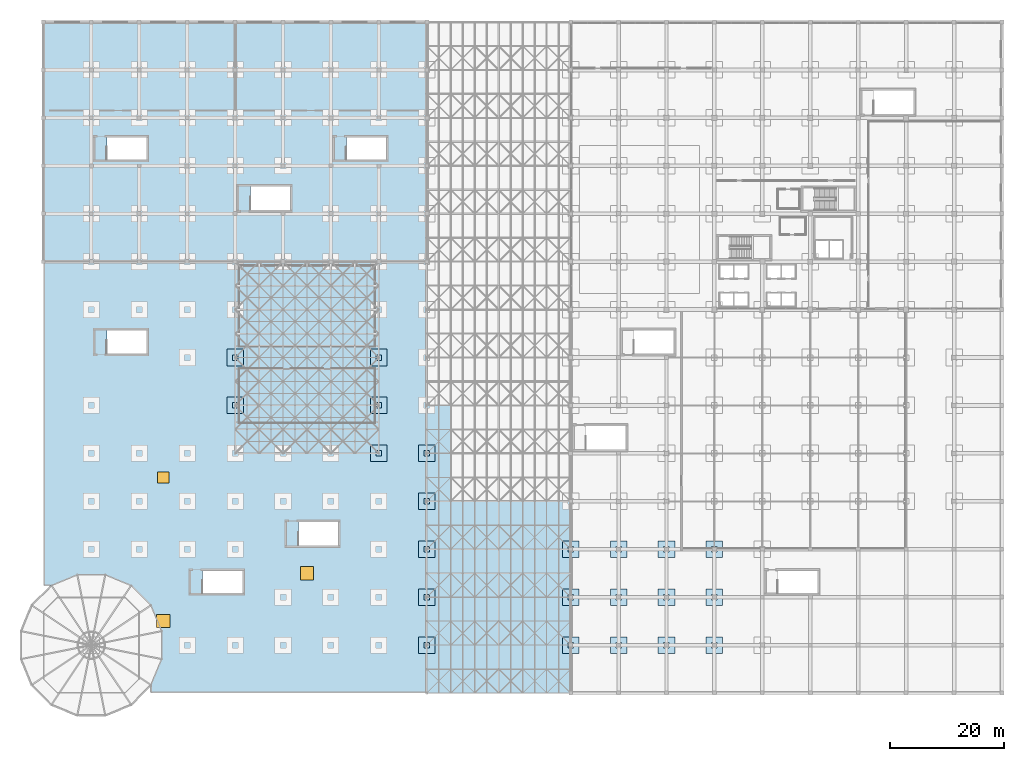
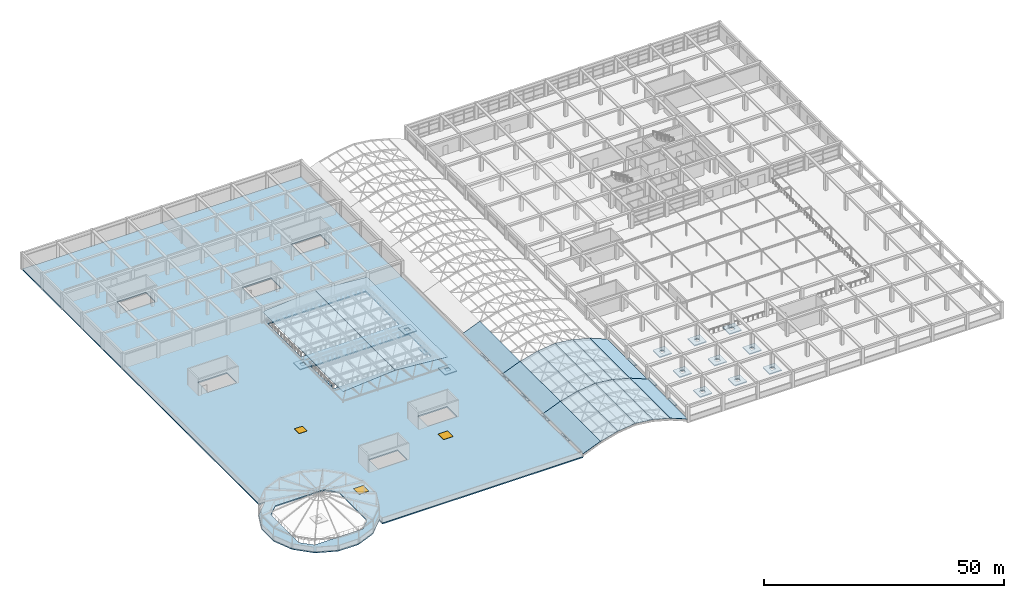
# One storey, part 66 of 85: 38 slabs, 3 windows, 3 openings, 4 elements without a shape of their own.
"""IFC4 building model written with IfcOpenShell, lengths in metres."""

from ifc_helpers import new_model, si_unit, direction, frame, origin, origin_2d, place, context, subcontext, project, spatial, polyline, rectangle, outline, extrude, material, layer, layer_set, type_object, element, fill, aggregate, save


model = new_model("IFC4")

# Units and contexts
model_context = context("Model", 3, precision=1e-05, world=origin(), true_north=direction((0.0, 1.0)))
body_context = subcontext(model_context, "Body", "Model", "MODEL_VIEW")
ifc_project = project(units=[si_unit("LENGTHUNIT", "METRE"), si_unit("AREAUNIT", "SQUARE_METRE"), si_unit("VOLUMEUNIT", "CUBIC_METRE"), si_unit("PLANEANGLEUNIT", "RADIAN"), si_unit("MASSUNIT", "GRAM", prefix="KILO")], contexts=[model_context])

# Site, building, storey
site_placement = place(None, origin())
site = spatial("IfcSite", under=ifc_project, at=site_placement, CompositionType="ELEMENT")
building_placement = place(site_placement, origin())
building = spatial("IfcBuilding", under=site, at=building_placement, Name="Almacenes y Pasaje Nevantli", CompositionType="ELEMENT")
storey_placement = place(building_placement, frame((0.0, 0.0, 22.199951171875)))
storey = spatial("IfcBuildingStorey", under=building, at=storey_placement, Name="L05", CompositionType="ELEMENT", Elevation=22.199951171875)

# Slabs
ifc_material_1 = material(Name="Concrete C35/45", Category="concrete")
ifc_layer_1 = layer(ifc_material_1, 0.25)
ifc_layer_set_1 = layer_set([ifc_layer_1], Name="Concrete C35/45")
slab_type_1 = type_object("IfcSlabType", Name="SLB-DP-250", PredefinedType="USERDEFINED", material=ifc_layer_set_1)
slab_1_placement = place(storey_placement, frame((0.0, 0.0, -0.550048828125)))
element("IfcSlab", 1, at=slab_1_placement, inside=storey, type_object=slab_type_1, Name="L05 Punching-Shear Drop Panel DP-02 #957", ObjectType="DROP PANEL", PredefinedType="USERDEFINED", context=body_context, shape_type="SweptSolid", body=[
    extrude(outline(polyline([(32.14990234375, 48.949951171875), (35.050048828125, 48.949951171875), (35.050048828125, 51.85009765625), (32.14990234375, 51.85009765625), (32.14990234375, 48.949951171875)]), holes=[polyline([(33.1201171875, 49.919921875), (34.080078125, 49.919921875), (34.080078125, 50.8798828125), (33.1201171875, 50.8798828125), (33.1201171875, 49.919921875)])]), origin(), (0.0, 0.0, 1.0), 0.25),
])
slab_2_placement = place(storey_placement, frame((0.0, 0.0, -0.550048828125)))
element("IfcSlab", 2, at=slab_2_placement, inside=storey, type_object=slab_type_1, Name="L05 Punching-Shear Drop Panel DP-02 #958", ObjectType="DROP PANEL", PredefinedType="USERDEFINED", context=body_context, shape_type="SweptSolid", body=[
    extrude(outline(polyline([(32.14990234375, 57.35009765625), (35.050048828125, 57.35009765625), (35.050048828125, 60.25), (32.14990234375, 60.25), (32.14990234375, 57.35009765625)]), holes=[polyline([(33.1201171875, 58.320068359375), (34.080078125, 58.320068359375), (34.080078125, 59.280029296875), (33.1201171875, 59.280029296875), (33.1201171875, 58.320068359375)])]), origin(), (0.0, 0.0, 1.0), 0.25),
])
slab_3_placement = place(storey_placement, frame((0.0, 0.0, -0.550048828125)))
element("IfcSlab", 3, at=slab_3_placement, inside=storey, type_object=slab_type_1, Name="L05 Punching-Shear Drop Panel DP-02 #984", ObjectType="DROP PANEL", PredefinedType="USERDEFINED", context=body_context, shape_type="SweptSolid", body=[
    extrude(outline(polyline([(57.35009765625, 40.550048828125), (60.25, 40.550048828125), (60.25, 43.449951171875), (57.35009765625, 43.449951171875), (57.35009765625, 40.550048828125)]), holes=[polyline([(58.320068359375, 41.52001953125), (59.280029296875, 41.52001953125), (59.280029296875, 42.47998046875), (58.320068359375, 42.47998046875), (58.320068359375, 41.52001953125)])]), origin(), (0.0, 0.0, 1.0), 0.25),
])
slab_4_placement = place(storey_placement, frame((0.0, 0.0, -0.550048828125)))
element("IfcSlab", 4, at=slab_4_placement, inside=storey, type_object=slab_type_1, Name="L05 Punching-Shear Drop Panel DP-02 #985", ObjectType="DROP PANEL", PredefinedType="USERDEFINED", context=body_context, shape_type="SweptSolid", body=[
    extrude(outline(polyline([(57.35009765625, 48.949951171875), (60.25, 48.949951171875), (60.25, 51.85009765625), (57.35009765625, 51.85009765625), (57.35009765625, 48.949951171875)]), holes=[polyline([(58.320068359375, 49.919921875), (59.280029296875, 49.919921875), (59.280029296875, 50.8798828125), (58.320068359375, 50.8798828125), (58.320068359375, 49.919921875)])]), origin(), (0.0, 0.0, 1.0), 0.25),
])
slab_5_placement = place(storey_placement, frame((0.0, 0.0, -0.550048828125)))
element("IfcSlab", 5, at=slab_5_placement, inside=storey, type_object=slab_type_1, Name="L05 Punching-Shear Drop Panel DP-02 #986", ObjectType="DROP PANEL", PredefinedType="USERDEFINED", context=body_context, shape_type="SweptSolid", body=[
    extrude(outline(polyline([(57.35009765625, 57.35009765625), (60.25, 57.35009765625), (60.25, 60.25), (57.35009765625, 60.25), (57.35009765625, 57.35009765625)]), holes=[polyline([(58.320068359375, 58.320068359375), (59.280029296875, 58.320068359375), (59.280029296875, 59.280029296875), (58.320068359375, 59.280029296875), (58.320068359375, 58.320068359375)])]), origin(), (0.0, 0.0, 1.0), 0.25),
])
slab_6_placement = place(storey_placement, frame((0.0, 0.0, -0.550048828125)))
element("IfcSlab", 6, at=slab_6_placement, inside=storey, type_object=slab_type_1, Name="L05 Punching-Shear Drop Panel DP-02 #992", ObjectType="DROP PANEL", PredefinedType="USERDEFINED", context=body_context, shape_type="SweptSolid", body=[
    extrude(outline(polyline([(65.75, 6.949951171875), (68.64990234375, 6.949951171875), (68.64990234375, 9.85009765625), (65.75, 9.85009765625), (65.75, 6.949951171875)]), holes=[polyline([(66.719970703125, 7.919921875), (67.679931640625, 7.919921875), (67.679931640625, 8.8798828125), (66.719970703125, 8.8798828125), (66.719970703125, 7.919921875)])]), origin(), (0.0, 0.0, 1.0), 0.25),
])
slab_7_placement = place(storey_placement, frame((0.0, 0.0, -0.550048828125)))
element("IfcSlab", 7, at=slab_7_placement, inside=storey, type_object=slab_type_1, Name="L05 Punching-Shear Drop Panel DP-02 #993", ObjectType="DROP PANEL", PredefinedType="USERDEFINED", context=body_context, shape_type="SweptSolid", body=[
    extrude(outline(polyline([(65.75, 15.35009765625), (68.64990234375, 15.35009765625), (68.64990234375, 18.25), (65.75, 18.25), (65.75, 15.35009765625)]), holes=[polyline([(66.719970703125, 16.320068359375), (67.679931640625, 16.320068359375), (67.679931640625, 17.280029296875), (66.719970703125, 17.280029296875), (66.719970703125, 16.320068359375)])]), origin(), (0.0, 0.0, 1.0), 0.25),
])
slab_8_placement = place(storey_placement, frame((0.0, 0.0, -0.550048828125)))
element("IfcSlab", 8, at=slab_8_placement, inside=storey, type_object=slab_type_1, Name="L05 Punching-Shear Drop Panel DP-02 #994", ObjectType="DROP PANEL", PredefinedType="USERDEFINED", context=body_context, shape_type="SweptSolid", body=[
    extrude(outline(polyline([(65.75, 23.75), (68.64990234375, 23.75), (68.64990234375, 26.64990234375), (65.75, 26.64990234375), (65.75, 23.75)]), holes=[polyline([(66.719970703125, 24.719970703125), (67.679931640625, 24.719970703125), (67.679931640625, 25.679931640625), (66.719970703125, 25.679931640625), (66.719970703125, 24.719970703125)])]), origin(), (0.0, 0.0, 1.0), 0.25),
])
slab_9_placement = place(storey_placement, frame((0.0, 0.0, -0.550048828125)))
element("IfcSlab", 9, at=slab_9_placement, inside=storey, type_object=slab_type_1, Name="L05 Punching-Shear Drop Panel DP-02 #995", ObjectType="DROP PANEL", PredefinedType="USERDEFINED", context=body_context, shape_type="SweptSolid", body=[
    extrude(outline(polyline([(65.75, 32.14990234375), (68.64990234375, 32.14990234375), (68.64990234375, 35.050048828125), (65.75, 35.050048828125), (65.75, 32.14990234375)]), holes=[polyline([(66.719970703125, 33.1201171875), (67.679931640625, 33.1201171875), (67.679931640625, 34.080078125), (66.719970703125, 34.080078125), (66.719970703125, 33.1201171875)])]), origin(), (0.0, 0.0, 1.0), 0.25),
])
slab_10_placement = place(storey_placement, frame((0.0, 0.0, -0.550048828125)))
element("IfcSlab", 10, at=slab_10_placement, inside=storey, type_object=slab_type_1, Name="L05 Punching-Shear Drop Panel DP-02 #996", ObjectType="DROP PANEL", PredefinedType="USERDEFINED", context=body_context, shape_type="SweptSolid", body=[
    extrude(outline(polyline([(65.75, 40.550048828125), (68.64990234375, 40.550048828125), (68.64990234375, 43.449951171875), (65.75, 43.449951171875), (65.75, 40.550048828125)]), holes=[polyline([(66.719970703125, 41.52001953125), (67.679931640625, 41.52001953125), (67.679931640625, 42.47998046875), (66.719970703125, 42.47998046875), (66.719970703125, 41.52001953125)])]), origin(), (0.0, 0.0, 1.0), 0.25),
])
slab_11_placement = place(storey_placement, frame((0.0, 0.0, -0.550048828125)))
element("IfcSlab", 11, at=slab_11_placement, inside=storey, type_object=slab_type_1, Name="L05 Punching-Shear Drop Panel DP-02 #1005", ObjectType="DROP PANEL", PredefinedType="USERDEFINED", context=body_context, shape_type="SweptSolid", body=[
    extrude(outline(polyline([(90.949951171875, 6.949951171875), (93.85009765625, 6.949951171875), (93.85009765625, 9.85009765625), (90.949951171875, 9.85009765625), (90.949951171875, 6.949951171875)]), holes=[polyline([(91.919921875, 7.919921875), (92.8798828125, 7.919921875), (92.8798828125, 8.8798828125), (91.919921875, 8.8798828125), (91.919921875, 7.919921875)])]), origin(), (0.0, 0.0, 1.0), 0.25),
])
slab_12_placement = place(storey_placement, frame((0.0, 0.0, -0.550048828125)))
element("IfcSlab", 12, at=slab_12_placement, inside=storey, type_object=slab_type_1, Name="L05 Punching-Shear Drop Panel DP-02 #1006", ObjectType="DROP PANEL", PredefinedType="USERDEFINED", context=body_context, shape_type="SweptSolid", body=[
    extrude(outline(polyline([(90.949951171875, 15.35009765625), (93.85009765625, 15.35009765625), (93.85009765625, 18.25), (90.949951171875, 18.25), (90.949951171875, 15.35009765625)]), holes=[polyline([(91.919921875, 16.320068359375), (92.8798828125, 16.320068359375), (92.8798828125, 17.280029296875), (91.919921875, 17.280029296875), (91.919921875, 16.320068359375)])]), origin(), (0.0, 0.0, 1.0), 0.25),
])
slab_13_placement = place(storey_placement, frame((0.0, 0.0, -0.550048828125)))
element("IfcSlab", 13, at=slab_13_placement, inside=storey, type_object=slab_type_1, Name="L05 Punching-Shear Drop Panel DP-02 #1007", ObjectType="DROP PANEL", PredefinedType="USERDEFINED", context=body_context, shape_type="SweptSolid", body=[
    extrude(outline(polyline([(90.949951171875, 23.75), (93.85009765625, 23.75), (93.85009765625, 26.64990234375), (90.949951171875, 26.64990234375), (90.949951171875, 23.75)]), holes=[polyline([(91.919921875, 24.719970703125), (92.8798828125, 24.719970703125), (92.8798828125, 25.679931640625), (91.919921875, 25.679931640625), (91.919921875, 24.719970703125)])]), origin(), (0.0, 0.0, 1.0), 0.25),
])
slab_14_placement = place(storey_placement, frame((0.0, 0.0, -0.550048828125)))
element("IfcSlab", 14, at=slab_14_placement, inside=storey, type_object=slab_type_1, Name="L05 Punching-Shear Drop Panel DP-02 #1017", ObjectType="DROP PANEL", PredefinedType="USERDEFINED", context=body_context, shape_type="SweptSolid", body=[
    extrude(outline(polyline([(99.35009765625, 6.949951171875), (102.25, 6.949951171875), (102.25, 9.85009765625), (99.35009765625, 9.85009765625), (99.35009765625, 6.949951171875)]), holes=[polyline([(100.320068359375, 7.919921875), (101.280029296875, 7.919921875), (101.280029296875, 8.8798828125), (100.320068359375, 8.8798828125), (100.320068359375, 7.919921875)])]), origin(), (0.0, 0.0, 1.0), 0.25),
])
slab_15_placement = place(storey_placement, frame((0.0, 0.0, -0.550048828125)))
element("IfcSlab", 15, at=slab_15_placement, inside=storey, type_object=slab_type_1, Name="L05 Punching-Shear Drop Panel DP-02 #1018", ObjectType="DROP PANEL", PredefinedType="USERDEFINED", context=body_context, shape_type="SweptSolid", body=[
    extrude(outline(polyline([(99.35009765625, 15.35009765625), (102.25, 15.35009765625), (102.25, 18.25), (99.35009765625, 18.25), (99.35009765625, 15.35009765625)]), holes=[polyline([(100.320068359375, 16.320068359375), (101.280029296875, 16.320068359375), (101.280029296875, 17.280029296875), (100.320068359375, 17.280029296875), (100.320068359375, 16.320068359375)])]), origin(), (0.0, 0.0, 1.0), 0.25),
])
slab_16_placement = place(storey_placement, frame((0.0, 0.0, -0.550048828125)))
element("IfcSlab", 16, at=slab_16_placement, inside=storey, type_object=slab_type_1, Name="L05 Punching-Shear Drop Panel DP-02 #1019", ObjectType="DROP PANEL", PredefinedType="USERDEFINED", context=body_context, shape_type="SweptSolid", body=[
    extrude(outline(polyline([(99.35009765625, 23.75), (102.25, 23.75), (102.25, 26.64990234375), (99.35009765625, 26.64990234375), (99.35009765625, 23.75)]), holes=[polyline([(100.320068359375, 24.719970703125), (101.280029296875, 24.719970703125), (101.280029296875, 25.679931640625), (100.320068359375, 25.679931640625), (100.320068359375, 24.719970703125)])]), origin(), (0.0, 0.0, 1.0), 0.25),
])
slab_17_placement = place(storey_placement, frame((0.0, 0.0, -0.550048828125)))
element("IfcSlab", 17, at=slab_17_placement, inside=storey, type_object=slab_type_1, Name="L05 Punching-Shear Drop Panel DP-02 #1028", ObjectType="DROP PANEL", PredefinedType="USERDEFINED", context=body_context, shape_type="SweptSolid", body=[
    extrude(outline(polyline([(107.75, 6.949951171875), (110.64990234375, 6.949951171875), (110.64990234375, 9.85009765625), (107.75, 9.85009765625), (107.75, 6.949951171875)]), holes=[polyline([(108.719970703125, 7.919921875), (109.679931640625, 7.919921875), (109.679931640625, 8.8798828125), (108.719970703125, 8.8798828125), (108.719970703125, 7.919921875)])]), origin(), (0.0, 0.0, 1.0), 0.25),
])
slab_18_placement = place(storey_placement, frame((0.0, 0.0, -0.550048828125)))
element("IfcSlab", 18, at=slab_18_placement, inside=storey, type_object=slab_type_1, Name="L05 Punching-Shear Drop Panel DP-02 #1029", ObjectType="DROP PANEL", PredefinedType="USERDEFINED", context=body_context, shape_type="SweptSolid", body=[
    extrude(outline(polyline([(107.75, 15.35009765625), (110.64990234375, 15.35009765625), (110.64990234375, 18.25), (107.75, 18.25), (107.75, 15.35009765625)]), holes=[polyline([(108.719970703125, 16.320068359375), (109.679931640625, 16.320068359375), (109.679931640625, 17.280029296875), (108.719970703125, 17.280029296875), (108.719970703125, 16.320068359375)])]), origin(), (0.0, 0.0, 1.0), 0.25),
])
slab_19_placement = place(storey_placement, frame((0.0, 0.0, -0.550048828125)))
element("IfcSlab", 19, at=slab_19_placement, inside=storey, type_object=slab_type_1, Name="L05 Punching-Shear Drop Panel DP-02 #1030", ObjectType="DROP PANEL", PredefinedType="USERDEFINED", context=body_context, shape_type="SweptSolid", body=[
    extrude(outline(polyline([(107.75, 23.75), (110.64990234375, 23.75), (110.64990234375, 26.64990234375), (107.75, 26.64990234375), (107.75, 23.75)]), holes=[polyline([(108.719970703125, 24.719970703125), (109.679931640625, 24.719970703125), (109.679931640625, 25.679931640625), (108.719970703125, 25.679931640625), (108.719970703125, 24.719970703125)])]), origin(), (0.0, 0.0, 1.0), 0.25),
])
slab_20_placement = place(storey_placement, frame((0.0, 0.0, -0.550048828125)))
element("IfcSlab", 20, at=slab_20_placement, inside=storey, type_object=slab_type_1, Name="L05 Punching-Shear Drop Panel DP-02 #1040", ObjectType="DROP PANEL", PredefinedType="USERDEFINED", context=body_context, shape_type="SweptSolid", body=[
    extrude(outline(polyline([(116.14990234375, 6.949951171875), (119.050048828125, 6.949951171875), (119.050048828125, 9.85009765625), (116.14990234375, 9.85009765625), (116.14990234375, 6.949951171875)]), holes=[polyline([(117.1201171875, 7.919921875), (118.080078125, 7.919921875), (118.080078125, 8.8798828125), (117.1201171875, 8.8798828125), (117.1201171875, 7.919921875)])]), origin(), (0.0, 0.0, 1.0), 0.25),
])
slab_21_placement = place(storey_placement, frame((0.0, 0.0, -0.550048828125)))
element("IfcSlab", 21, at=slab_21_placement, inside=storey, type_object=slab_type_1, Name="L05 Punching-Shear Drop Panel DP-02 #1041", ObjectType="DROP PANEL", PredefinedType="USERDEFINED", context=body_context, shape_type="SweptSolid", body=[
    extrude(outline(polyline([(116.14990234375, 15.35009765625), (119.050048828125, 15.35009765625), (119.050048828125, 18.25), (116.14990234375, 18.25), (116.14990234375, 15.35009765625)]), holes=[polyline([(117.1201171875, 16.320068359375), (118.080078125, 16.320068359375), (118.080078125, 17.280029296875), (117.1201171875, 17.280029296875), (117.1201171875, 16.320068359375)])]), origin(), (0.0, 0.0, 1.0), 0.25),
])
slab_22_placement = place(storey_placement, frame((0.0, 0.0, -0.550048828125)))
element("IfcSlab", 22, at=slab_22_placement, inside=storey, type_object=slab_type_1, Name="L05 Punching-Shear Drop Panel DP-02 #1042", ObjectType="DROP PANEL", PredefinedType="USERDEFINED", context=body_context, shape_type="SweptSolid", body=[
    extrude(outline(polyline([(116.14990234375, 23.75), (119.050048828125, 23.75), (119.050048828125, 26.64990234375), (116.14990234375, 26.64990234375), (116.14990234375, 23.75)]), holes=[polyline([(117.1201171875, 24.719970703125), (118.080078125, 24.719970703125), (118.080078125, 25.679931640625), (117.1201171875, 25.679931640625), (117.1201171875, 24.719970703125)])]), origin(), (0.0, 0.0, 1.0), 0.25),
])

# Slab, openings, windows
ifc_material_2 = material(Name="Concrete C35/45", Category="concrete")
ifc_layer_2 = layer(ifc_material_2, 0.300048828125)
ifc_layer_set_2 = layer_set([ifc_layer_2], Name="Concrete C35/45")
slab_type_2 = type_object("IfcSlabType", Name="SLB-FLR-300", PredefinedType="FLOOR", material=ifc_layer_set_2)
slab_23_placement = place(storey_placement, frame((0.0, 0.0, -0.300048828125)))
slab_23 = element("IfcSlab", 23, at=slab_23_placement, inside=storey, type_object=slab_type_2, Name="L05 West Plant, Atrium Gallery and Rotunda Ring Slab", PredefinedType="FLOOR", context=body_context, shape_type="SweptSolid", body=[
    extrude(outline(polyline([(18.87646484375, 0.0), (67.199951171875, 0.0), (67.199951171875, 117.60009765625), (0.0, 117.60009765625), (0.0, 18.87646484375), (1.39990234375, 18.87646484375), (-2.076416015625, 15.400146484375), (-3.9580078125, 10.858154296875), (-3.9580078125, 5.94189453125), (-2.076416015625, 1.39990234375), (1.39990234375, -2.076416015625), (5.94189453125, -3.9580078125), (10.858154296875, -3.9580078125), (15.400146484375, -2.076416015625), (18.87646484375, 1.39990234375), (18.87646484375, 0.0)]), holes=[polyline([(2.60009765625, 0.199951171875), (14.199951171875, 0.199951171875), (16.60009765625, 2.60009765625), (16.60009765625, 14.199951171875), (14.199951171875, 16.60009765625), (2.60009765625, 16.60009765625), (0.199951171875, 14.199951171875), (0.199951171875, 2.60009765625), (2.60009765625, 0.199951171875)]), polyline([(11.114990234375, 93.449951171875), (18.10009765625, 93.449951171875), (18.10009765625, 97.39990234375), (11.114990234375, 97.39990234375), (11.114990234375, 93.449951171875)]), polyline([(27.9150390625, 17.5), (34.89990234375, 17.5), (34.89990234375, 21.449951171875), (27.9150390625, 21.449951171875), (27.9150390625, 17.5)]), polyline([(53.114990234375, 93.449951171875), (60.10009765625, 93.449951171875), (60.10009765625, 97.39990234375), (53.114990234375, 97.39990234375), (53.114990234375, 93.449951171875)]), polyline([(11.114990234375, 59.449951171875), (18.10009765625, 59.449951171875), (18.10009765625, 63.60009765625), (11.114990234375, 63.60009765625), (11.114990234375, 59.449951171875)]), polyline([(44.715087890625, 25.85009765625), (51.699951171875, 25.85009765625), (51.699951171875, 30.0), (44.715087890625, 30.0), (44.715087890625, 25.85009765625)]), polyline([(36.31494140625, 84.64990234375), (43.300048828125, 84.64990234375), (43.300048828125, 88.800048828125), (36.31494140625, 88.800048828125), (36.31494140625, 84.64990234375)]), polyline([(34.39990234375, 47.449951171875), (58.0, 47.449951171875), (58.0, 56.800048828125), (34.39990234375, 56.800048828125), (34.39990234375, 47.449951171875)]), polyline([(34.39990234375, 60.800048828125), (58.0, 60.800048828125), (58.0, 74.800048828125), (34.39990234375, 74.800048828125), (34.39990234375, 60.800048828125)])]), origin(), (0.0, 0.0, 1.0), 0.300048828125),
])
opening_1_placement = place(slab_23_placement, frame((21.0, 12.60009765625, -0.010009765625)))
opening_1 = element("IfcOpeningElement", 24, at=opening_1_placement, cuts=slab_23, Name="Opening SK-001", PredefinedType="OPENING", context=body_context, shape_type="SweptSolid", body=[
    extrude(rectangle(XDim=2.300048828125, YDim=2.300048828125, at=origin_2d()), origin(), (0.0, 0.0, 1.0), 0.3701171875),
])
opening_2_placement = place(slab_23_placement, frame((21.0, 37.800048828125, -0.010009765625)))
opening_2 = element("IfcOpeningElement", 25, at=opening_2_placement, cuts=slab_23, Name="Opening SK-002", PredefinedType="OPENING", context=body_context, shape_type="SweptSolid", body=[
    extrude(rectangle(XDim=1.949951171875, YDim=1.949951171875, at=origin_2d()), origin(), (0.0, 0.0, 1.0), 0.3701171875),
])
opening_3_placement = place(slab_23_placement, frame((46.199951171875, 21.0, -0.010009765625)))
opening_3 = element("IfcOpeningElement", 26, at=opening_3_placement, cuts=slab_23, Name="Opening SK-003", PredefinedType="OPENING", context=body_context, shape_type="SweptSolid", body=[
    extrude(rectangle(XDim=2.300048828125, YDim=2.300048828125, at=origin_2d()), origin(), (0.0, 0.0, 1.0), 0.3701171875),
])
ifc_material_3 = material(Name="Thermally Broken Aluminium and Low-E Double Glazing", Category="aluminium")
window_type_1 = type_object("IfcWindowType", Name="WN-SKY-1950", PartitioningType="SINGLE_PANEL", PredefinedType="SKYLIGHT", material=ifc_material_3)
window_1_placement = place(slab_23_placement, frame((21.0, 37.800048828125, 0.300048828125)))
window_1 = element("IfcWindow", 27, at=window_1_placement, inside=storey, type_object=window_type_1, Name="Podium Roof Daylighting Curb Skylight SK-002", OverallHeight=1.949951171875, OverallWidth=1.949951171875, PartitioningType="SINGLE_PANEL", PredefinedType="SKYLIGHT", context=body_context, shape_type="SweptSolid", body=[
    extrude(rectangle(XDim=1.949951171875, YDim=1.949951171875, at=origin_2d()), origin(), (0.0, 0.0, 1.0), 0.050048828125),
])
fill(opening_2, window_1)
ifc_material_4 = material(Name="Thermally Broken Aluminium and Low-E Double Glazing", Category="aluminium")
window_type_2 = type_object("IfcWindowType", Name="WN-SKY-2300", PartitioningType="SINGLE_PANEL", PredefinedType="SKYLIGHT", material=ifc_material_4)
window_2_placement = place(slab_23_placement, frame((21.0, 12.60009765625, 0.300048828125)))
window_2 = element("IfcWindow", 28, at=window_2_placement, inside=storey, type_object=window_type_2, Name="Podium Roof Daylighting Curb Skylight SK-001", OverallHeight=2.300048828125, OverallWidth=2.300048828125, PartitioningType="SINGLE_PANEL", PredefinedType="SKYLIGHT", context=body_context, shape_type="SweptSolid", body=[
    extrude(rectangle(XDim=2.300048828125, YDim=2.300048828125, at=origin_2d()), origin(), (0.0, 0.0, 1.0), 0.050048828125),
])
fill(opening_1, window_2)
window_3_placement = place(slab_23_placement, frame((46.199951171875, 21.0, 0.300048828125)))
window_3 = element("IfcWindow", 29, at=window_3_placement, inside=storey, type_object=window_type_2, Name="Podium Roof Daylighting Curb Skylight SK-003", OverallHeight=2.300048828125, OverallWidth=2.300048828125, PartitioningType="SINGLE_PANEL", PredefinedType="SKYLIGHT", context=body_context, shape_type="SweptSolid", body=[
    extrude(rectangle(XDim=2.300048828125, YDim=2.300048828125, at=origin_2d()), origin(), (0.0, 0.0, 1.0), 0.050048828125),
])
fill(opening_3, window_3)

# Roof, slabs
ifc_material_5 = material(Name="Steel ASTM A992 and Insulated Safety Glass", Category="steel")
roof_type = type_object("IfcRoofType", Name="ROOF-BARREL-VAULT", PredefinedType="BARREL_ROOF", material=ifc_material_5)
roof_1_placement = place(storey_placement, origin())
roof_1 = element("IfcRoof", 30, at=roof_1_placement, inside=storey, type_object=roof_type, Name="Arcade Barrel Vault Glazed Skylight Roof Zone 1", PredefinedType="BARREL_ROOF")
ifc_material_6 = material(Name="Tempered Insulated Hail Safety Glass", Category="glass")
ifc_layer_3 = layer(ifc_material_6, 0.080078125)
ifc_layer_set_3 = layer_set([ifc_layer_3], Name="Tempered Insulated Hail Safety Glass")
slab_type_3 = type_object("IfcSlabType", Name="SLB-ROOF-GLASS-80", PredefinedType="ROOF", material=ifc_layer_set_3)
slab_24_placement = place(storey_placement, frame((67.199951171875, 0.0, 0.719970703125), z_axis=(-0.375233542792, 0.0, 0.926930303941), x_axis=(0.926930303941, 0.0, 0.375233542792)))
slab_24 = element("IfcSlab", 31, at=slab_24_placement, type_object=slab_type_3, Name="Arcade Barrel Vault Insulated Safety Glass Roof Panel 1.1", PredefinedType="ROOF", context=body_context, shape_type="SweptSolid", body=[
    extrude(outline(polyline([(0.0, 0.0), (4.531032326830295, 0.0), (4.531032326830295, 16.800048828125), (0.0, 16.800048828125), (0.0, 0.0)])), origin(), (0.0, 0.0, -1.0), 0.080078125),
])
slab_25_placement = place(storey_placement, frame((71.39990234375, 0.0, 2.420166015625), z_axis=(-0.264056551336, 0.0, 0.964507199401), x_axis=(0.964507199401, 0.0, 0.264056551336)))
slab_25 = element("IfcSlab", 32, at=slab_25_placement, type_object=slab_type_3, Name="Arcade Barrel Vault Insulated Safety Glass Roof Panel 1.2", PredefinedType="ROOF", context=body_context, shape_type="SweptSolid", body=[
    extrude(outline(polyline([(0.0, 0.0), (4.35475786506078, 0.0), (4.35475786506078, 16.800048828125), (0.0, 16.800048828125), (0.0, 0.0)])), origin(), (0.0, 0.0, -1.0), 0.080078125),
])
slab_26_placement = place(storey_placement, frame((75.60009765625, 0.0, 3.570068359375), z_axis=(-0.118214244908, 0.0, 0.99298811287), x_axis=(0.99298811287, 0.0, 0.118214244908)))
slab_26 = element("IfcSlab", 33, at=slab_26_placement, type_object=slab_type_3, Name="Arcade Barrel Vault Insulated Safety Glass Roof Panel 1.3", PredefinedType="ROOF", context=body_context, shape_type="SweptSolid", body=[
    extrude(outline(polyline([(0.0, 0.0), (4.229608710759683, 0.0), (4.229608710759683, 16.800048828125), (0.0, 16.800048828125), (0.0, 0.0)])), origin(), (0.0, 0.0, -1.0), 0.080078125),
])
slab_27_placement = place(storey_placement, frame((79.800048828125, 0.0, 4.070068359375), z_axis=(0.118214244908, 0.0, 0.99298811287), x_axis=(0.99298811287, 0.0, -0.118214244908)))
slab_27 = element("IfcSlab", 34, at=slab_27_placement, type_object=slab_type_3, Name="Arcade Barrel Vault Insulated Safety Glass Roof Panel 1.4", PredefinedType="ROOF", context=body_context, shape_type="SweptSolid", body=[
    extrude(outline(polyline([(0.0, 0.0), (4.229608710759683, 0.0), (4.229608710759683, 16.800048828125), (0.0, 16.800048828125), (0.0, 0.0)])), origin(), (0.0, 0.0, -1.0), 0.080078125),
])
slab_28_placement = place(storey_placement, frame((84.0, 0.0, 3.570068359375), z_axis=(0.264070830443, 0.0, 0.964503290046), x_axis=(0.964503290046, 0.0, -0.264070830443)))
slab_28 = element("IfcSlab", 35, at=slab_28_placement, type_object=slab_type_3, Name="Arcade Barrel Vault Insulated Safety Glass Roof Panel 1.5", PredefinedType="ROOF", context=body_context, shape_type="SweptSolid", body=[
    extrude(outline(polyline([(0.0, 0.0), (4.354522390147504, 0.0), (4.354522390147504, 16.800048828125), (0.0, 16.800048828125), (0.0, 0.0)])), origin(), (0.0, 0.0, -1.0), 0.080078125),
])
slab_29_placement = place(storey_placement, frame((88.199951171875, 0.0, 2.420166015625), z_axis=(0.375233542792, 0.0, 0.926930303941), x_axis=(0.926930303941, 0.0, -0.375233542792)))
slab_29 = element("IfcSlab", 36, at=slab_29_placement, type_object=slab_type_3, Name="Arcade Barrel Vault Insulated Safety Glass Roof Panel 1.6", PredefinedType="ROOF", context=body_context, shape_type="SweptSolid", body=[
    extrude(outline(polyline([(0.0, 0.0), (4.531032326830295, 0.0), (4.531032326830295, 16.800048828125), (0.0, 16.800048828125), (0.0, 0.0)])), origin(), (0.0, 0.0, -1.0), 0.080078125),
])
aggregate(roof_1, [slab_24, slab_25, slab_26, slab_27, slab_28, slab_29])

roof_2_placement = place(storey_placement, origin())
roof_2 = element("IfcRoof", 37, at=roof_2_placement, inside=storey, type_object=roof_type, Name="Arcade Barrel Vault Glazed Skylight Roof Zone 2", PredefinedType="BARREL_ROOF")
slab_30_placement = place(storey_placement, frame((67.199951171875, 16.800048828125, 0.719970703125), z_axis=(-0.375233542792, 0.0, 0.926930303941), x_axis=(0.926930303941, 0.0, 0.375233542792)))
slab_30 = element("IfcSlab", 38, at=slab_30_placement, type_object=slab_type_3, Name="Arcade Barrel Vault Insulated Safety Glass Roof Panel 2.1", PredefinedType="ROOF", context=body_context, shape_type="SweptSolid", body=[
    extrude(outline(polyline([(0.0, 0.0), (4.531032326830295, 0.0), (4.531032326830295, 16.800048828125), (0.0, 16.800048828125), (0.0, 0.0)])), origin(), (0.0, 0.0, -1.0), 0.080078125),
])
slab_31_placement = place(storey_placement, frame((71.39990234375, 16.800048828125, 2.420166015625), z_axis=(-0.264056551336, 0.0, 0.964507199401), x_axis=(0.964507199401, 0.0, 0.264056551336)))
slab_31 = element("IfcSlab", 39, at=slab_31_placement, type_object=slab_type_3, Name="Arcade Barrel Vault Insulated Safety Glass Roof Panel 2.2", PredefinedType="ROOF", context=body_context, shape_type="SweptSolid", body=[
    extrude(outline(polyline([(0.0, 0.0), (4.35475786506078, 0.0), (4.35475786506078, 16.800048828125), (0.0, 16.800048828125), (0.0, 0.0)])), origin(), (0.0, 0.0, -1.0), 0.080078125),
])
slab_32_placement = place(storey_placement, frame((75.60009765625, 16.800048828125, 3.570068359375), z_axis=(-0.118214244908, 0.0, 0.99298811287), x_axis=(0.99298811287, 0.0, 0.118214244908)))
slab_32 = element("IfcSlab", 40, at=slab_32_placement, type_object=slab_type_3, Name="Arcade Barrel Vault Insulated Safety Glass Roof Panel 2.3", PredefinedType="ROOF", context=body_context, shape_type="SweptSolid", body=[
    extrude(outline(polyline([(0.0, 0.0), (4.229608710759683, 0.0), (4.229608710759683, 16.800048828125), (0.0, 16.800048828125), (0.0, 0.0)])), origin(), (0.0, 0.0, -1.0), 0.080078125),
])
slab_33_placement = place(storey_placement, frame((79.800048828125, 16.800048828125, 4.070068359375), z_axis=(0.118214244908, 0.0, 0.99298811287), x_axis=(0.99298811287, 0.0, -0.118214244908)))
slab_33 = element("IfcSlab", 41, at=slab_33_placement, type_object=slab_type_3, Name="Arcade Barrel Vault Insulated Safety Glass Roof Panel 2.4", PredefinedType="ROOF", context=body_context, shape_type="SweptSolid", body=[
    extrude(outline(polyline([(0.0, 0.0), (4.229608710759683, 0.0), (4.229608710759683, 16.800048828125), (0.0, 16.800048828125), (0.0, 0.0)])), origin(), (0.0, 0.0, -1.0), 0.080078125),
])
slab_34_placement = place(storey_placement, frame((84.0, 16.800048828125, 3.570068359375), z_axis=(0.264070830443, 0.0, 0.964503290046), x_axis=(0.964503290046, 0.0, -0.264070830443)))
slab_34 = element("IfcSlab", 42, at=slab_34_placement, type_object=slab_type_3, Name="Arcade Barrel Vault Insulated Safety Glass Roof Panel 2.5", PredefinedType="ROOF", context=body_context, shape_type="SweptSolid", body=[
    extrude(outline(polyline([(0.0, 0.0), (4.354522390147504, 0.0), (4.354522390147504, 16.800048828125), (0.0, 16.800048828125), (0.0, 0.0)])), origin(), (0.0, 0.0, -1.0), 0.080078125),
])
slab_35_placement = place(storey_placement, frame((88.199951171875, 16.800048828125, 2.420166015625), z_axis=(0.375233542792, 0.0, 0.926930303941), x_axis=(0.926930303941, 0.0, -0.375233542792)))
slab_35 = element("IfcSlab", 43, at=slab_35_placement, type_object=slab_type_3, Name="Arcade Barrel Vault Insulated Safety Glass Roof Panel 2.6", PredefinedType="ROOF", context=body_context, shape_type="SweptSolid", body=[
    extrude(outline(polyline([(0.0, 0.0), (4.531032326830295, 0.0), (4.531032326830295, 16.800048828125), (0.0, 16.800048828125), (0.0, 0.0)])), origin(), (0.0, 0.0, -1.0), 0.080078125),
])
aggregate(roof_2, [slab_30, slab_31, slab_32, slab_33, slab_34, slab_35])

# Roof, slab
roof_3_placement = place(storey_placement, origin())
roof_3 = element("IfcRoof", 44, at=roof_3_placement, inside=storey, type_object=roof_type, Name="Arcade Barrel Vault Glazed Skylight Roof Zone 3", PredefinedType="BARREL_ROOF")
slab_36_placement = place(storey_placement, frame((67.199951171875, 33.60009765625, 0.719970703125), z_axis=(-0.375233542792, 0.0, 0.926930303941), x_axis=(0.926930303941, 0.0, 0.375233542792)))
slab_36 = element("IfcSlab", 45, at=slab_36_placement, type_object=slab_type_3, Name="Arcade Barrel Vault Insulated Safety Glass Roof Panel 3.1", PredefinedType="ROOF", context=body_context, shape_type="SweptSolid", body=[
    extrude(outline(polyline([(0.0, 0.0), (4.531032326830295, 0.0), (4.531032326830295, 16.7998046875), (0.0, 16.7998046875), (0.0, 0.0)])), origin(), (0.0, 0.0, -1.0), 0.080078125),
])
aggregate(roof_3, [slab_36])

# Roof, slabs
roof_4_placement = place(storey_placement, origin())
roof_4 = element("IfcRoof", 46, at=roof_4_placement, inside=storey, type_object=roof_type, Name="Atrium Skylight Space Frame Glazed Roof", PredefinedType="BARREL_ROOF")
slab_37_placement = place(storey_placement, frame((33.60009765625, 42.0, 2.800048828125), z_axis=(-0.083050273942, 0.0, 0.996545358726), x_axis=(0.996545358726, 0.0, 0.083050273942)))
slab_37 = element("IfcSlab", 47, at=slab_37_placement, type_object=slab_type_3, Name="Atrium Skylight West Insulated Safety Glass Slope", PredefinedType="ROOF", context=body_context, shape_type="SweptSolid", body=[
    extrude(outline(polyline([(0.0, 0.0), (12.64353238445073, 0.0), (12.64353238445073, 33.60009765625), (0.0, 33.60009765625), (0.0, 0.0)])), origin(), (0.0, 0.0, -1.0), 0.080078125),
])
slab_38_placement = place(storey_placement, frame((46.199951171875, 42.0, 3.85009765625), z_axis=(0.083048675851, 0.0, 0.996545491907), x_axis=(0.996545491907, 0.0, -0.083048675851)))
slab_38 = element("IfcSlab", 48, at=slab_38_placement, type_object=slab_type_3, Name="Atrium Skylight East Insulated Safety Glass Slope", PredefinedType="ROOF", context=body_context, shape_type="SweptSolid", body=[
    extrude(outline(polyline([(0.0, 0.0), (12.64377568167371, 0.0), (12.64377568167371, 33.60009765625), (0.0, 33.60009765625), (0.0, 0.0)])), origin(), (0.0, 0.0, -1.0), 0.080078125),
])
aggregate(roof_4, [slab_37, slab_38])

save(model, "model.ifc")
